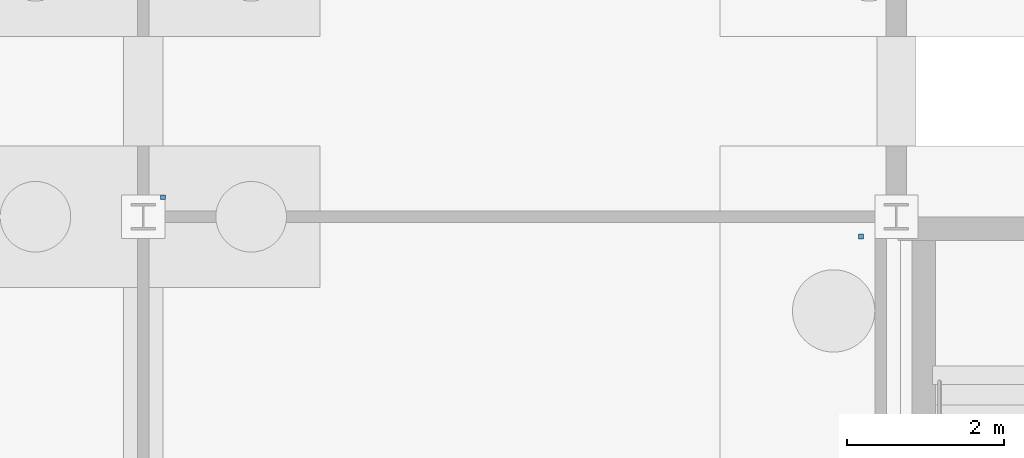
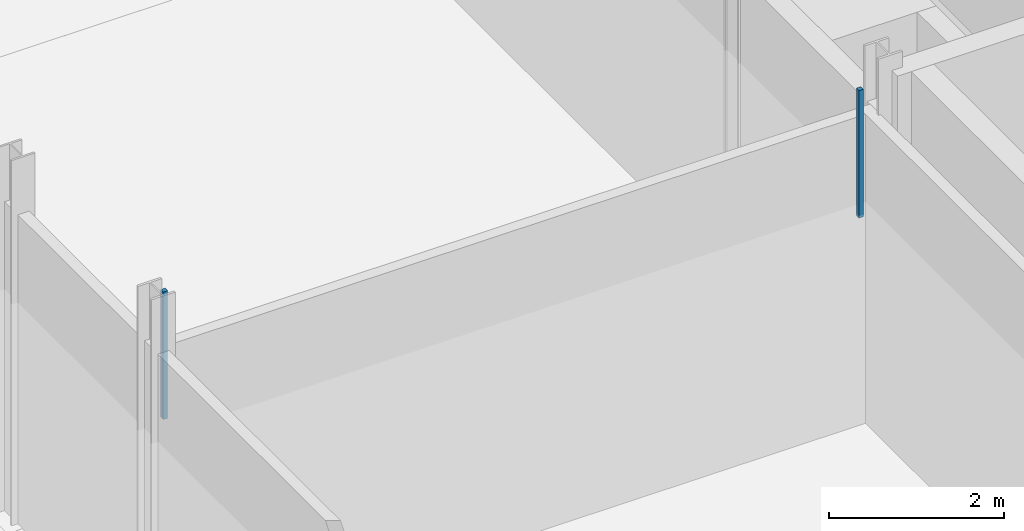
# One storey, part 76 of 111: 2 discrete accessories.
"""IFC4 building model written with IfcOpenShell, lengths in metres."""

import ifcopenshell
import ifcopenshell.guid

model = None  # the IFC model being written
_history = None  # IfcOwnerHistory: only IFC2X3 demands one
_inside = {}  # id of a spatial element -> (the spatial element, [elements in it])
_under = {}  # id of a project, library or spatial element -> (it, [spatial elements below it])
_declared = {}  # id of a project -> (the project, [libraries it declares])
_typed = {}  # id of a type object -> (the type object, [elements of that type])
_made_of = {}  # id of a material, layer set ... -> (it, [elements and type objects made of it])


def new_model(schema):
    """Start an empty IFC model of exactly this schema.

    Asked for "IFC4X3", IfcOpenShell would pick the latest addendum, in which some entities
    have other attributes; the version numbers below select the first issue.
    IFC2X3 requires an IfcOwnerHistory on every rooted entity: one is made here for all.
    """
    global model, _history
    if schema == "IFC4X3":
        model = ifcopenshell.file(schema_version=(4, 3, 0, 0))
    else:
        model = ifcopenshell.file(schema=schema)
    _inside.clear()
    _under.clear()
    _declared.clear()
    _typed.clear()
    _made_of.clear()
    _history = None
    if model.schema == "IFC2X3":
        org = make("IfcOrganization", Name="unknown")
        user = make(
            "IfcPersonAndOrganization",
            ThePerson=make("IfcPerson", FamilyName="unknown"),
            TheOrganization=org,
        )
        app = make(
            "IfcApplication",
            ApplicationDeveloper=org,
            Version="unknown",
            ApplicationFullName="unknown",
            ApplicationIdentifier="unknown",
        )
        _history = make(
            "IfcOwnerHistory",
            OwningUser=user,
            OwningApplication=app,
            ChangeAction="ADDED",
            CreationDate=0,
        )
    return model


def make(cls, **values):
    """One entity of the class cls with the attributes given. An attribute that is None is left unset."""
    return model.create_entity(
        cls, **{name: value for name, value in values.items() if value is not None}
    )


def rooted(cls, **values):
    """An entity with a GlobalId (a new one), such as an element, a storey or a relation."""
    return make(cls, GlobalId=ifcopenshell.guid.new(), OwnerHistory=_history, **values)


def si_unit(unit_type, name, prefix=None):
    """IfcSIUnit, for example si_unit("LENGTHUNIT", "METRE", prefix="MILLI")."""
    return make("IfcSIUnit", UnitType=unit_type, Prefix=prefix, Name=name)


def assignment(units):
    """IfcUnitAssignment: the units of a project."""
    return None if units is None else make("IfcUnitAssignment", Units=units)


def point(xyz):
    """IfcCartesianPoint."""
    return None if xyz is None else make("IfcCartesianPoint", Coordinates=xyz)


def direction(xyz):
    """IfcDirection."""
    return None if xyz is None else make("IfcDirection", DirectionRatios=xyz)


def frame(location, z_axis=None, x_axis=None):
    """IfcAxis2Placement3D, a coordinate frame: its origin and axes. An axis left out is left unset."""
    return make(
        "IfcAxis2Placement3D",
        Location=point(location),
        Axis=direction(z_axis),
        RefDirection=direction(x_axis),
    )


def origin():
    """The frame at (0, 0, 0) with its axes left unset."""
    return frame((0.0, 0.0, 0.0))


def place(relative_to, where):
    """IfcLocalPlacement: puts the frame where relative to a parent placement (None: the world)."""
    return make(
        "IfcLocalPlacement", PlacementRelTo=relative_to, RelativePlacement=where
    )


def context(
    kind, dimensions, precision=None, world=None, true_north=None, identifier=None
):
    """IfcGeometricRepresentationContext, for example the 3D "Model" context."""
    return make(
        "IfcGeometricRepresentationContext",
        ContextIdentifier=identifier,
        ContextType=kind,
        CoordinateSpaceDimension=dimensions,
        Precision=precision,
        WorldCoordinateSystem=world,
        TrueNorth=true_north,
    )


def subcontext(parent, identifier, kind, view, scale=None):
    """IfcGeometricRepresentationSubContext, for example "Body" below "Model"."""
    return make(
        "IfcGeometricRepresentationSubContext",
        ContextIdentifier=identifier,
        ContextType=kind,
        ParentContext=parent,
        TargetScale=scale,
        TargetView=view,
    )


def project(units=None, contexts=None):
    """IfcProject with its units and contexts."""
    return rooted(
        "IfcProject",
        Name="project",
        RepresentationContexts=contexts,
        UnitsInContext=assignment(units),
    )


def spatial(cls, under=None, at=None, **own):
    """A site, building, storey or space (cls), placed at a placement, below another one or the project."""
    s = rooted(cls, ObjectPlacement=at, **own)
    if under is not None:
        _under.setdefault(under.id(), (under, []))[1].append(s)
    return s


def polyline(points):
    """IfcPolyline through the points."""
    return make("IfcPolyline", Points=[point(p) for p in points])


def outline(outer, holes=None, kind="AREA"):
    """IfcArbitraryClosedProfileDef: a profile drawn as a closed curve; with holes, ...WithVoids."""
    if holes is None:
        return make("IfcArbitraryClosedProfileDef", ProfileType=kind, OuterCurve=outer)
    return make(
        "IfcArbitraryProfileDefWithVoids",
        ProfileType=kind,
        OuterCurve=outer,
        InnerCurves=holes,
    )


def extrude(swept, where, along, depth):
    """IfcExtrudedAreaSolid: the profile swept, set in the frame where, extruded along a direction by depth."""
    return make(
        "IfcExtrudedAreaSolid",
        SweptArea=swept,
        Position=where,
        ExtrudedDirection=direction(along),
        Depth=depth,
    )


def shape(context_of_items, identifier, shape_type, items):
    """IfcShapeRepresentation: the items that make up one representation, for example the "Body"."""
    return make(
        "IfcShapeRepresentation",
        ContextOfItems=context_of_items,
        RepresentationIdentifier=identifier,
        RepresentationType=shape_type,
        Items=items,
    )


def material(Name=None, Category=None):
    """IfcMaterial."""
    return make("IfcMaterial", Name=Name, Category=Category)


def made_of(thing, what):
    """Note that an element or type object is made of a material, layer set ...; save() writes the relation."""
    if what is not None:
        _made_of.setdefault(what.id(), (what, []))[1].append(thing)
    return thing


def type_object(cls, material=None, **own):
    """A type object (cls), such as IfcWallType, which elements share."""
    return made_of(rooted(cls, **own), material)


def element(
    cls,
    number,
    at=None,
    inside=None,
    cuts=None,
    type_object=None,
    material=None,
    context=None,
    identifier="Body",
    shape_type=None,
    held_by="IfcProductDefinitionShape",
    body=None,
    shapes=None,
    **own,
):
    """One element of the class cls, such as IfcWall. Its Tag is "e" and its number.

    at: its placement. inside: the storey or other place that contains it. cuts: it is an
    opening in that element (IfcRelVoidsElement). A single representation is given by context,
    identifier, shape_type and body (its items); several are given by shapes. held_by: the class
    of the entity that holds the representations. save() writes the other relations.
    """
    e = rooted(cls, Tag="e%d" % number, ObjectPlacement=at, **own)
    if body is not None:
        shapes = [shape(context, identifier, shape_type, body)]
    if shapes is not None:
        e.Representation = make(held_by, Representations=shapes)
    if inside is not None:
        _inside.setdefault(inside.id(), (inside, []))[1].append(e)
    if cuts is not None:
        rooted(
            "IfcRelVoidsElement", RelatingBuildingElement=cuts, RelatedOpeningElement=e
        )
    if type_object is not None:
        _typed.setdefault(type_object.id(), (type_object, []))[1].append(e)
    return made_of(e, material)


def aggregate(whole, parts):
    """IfcRelAggregates: a whole, such as a stair, and the parts it consists of."""
    return rooted("IfcRelAggregates", RelatingObject=whole, RelatedObjects=parts)


def save(model, path):
    """Write the relations noted so far, then the file.

    IfcRelAggregates (storeys below a building ...), IfcRelContainedInSpatialStructure (elements
    in a storey), IfcRelDefinesByType, IfcRelAssociatesMaterial and IfcRelDeclares: one each for
    every whole, place, type object, material and project.
    """
    for whole, parts in _under.values():
        aggregate(whole, parts)
    for where, things in _inside.values():
        rooted(
            "IfcRelContainedInSpatialStructure",
            RelatedElements=things,
            RelatingStructure=where,
        )
    for kind, things in _typed.values():
        rooted("IfcRelDefinesByType", RelatedObjects=things, RelatingType=kind)
    for what, things in _made_of.values():
        rooted("IfcRelAssociatesMaterial", RelatedObjects=things, RelatingMaterial=what)
    for by, libraries in _declared.values():
        rooted("IfcRelDeclares", RelatingContext=by, RelatedDefinitions=libraries)
    model.write(path)


model = new_model("IFC4")

# Units and contexts
model_context = context("Model", 3, precision=1e-05, world=origin(), true_north=direction((0.0, 1.0)))
body_context = subcontext(model_context, "Body", "Model", "MODEL_VIEW")
ifc_project = project(units=[si_unit("LENGTHUNIT", "METRE"), si_unit("AREAUNIT", "SQUARE_METRE"), si_unit("VOLUMEUNIT", "CUBIC_METRE"), si_unit("PLANEANGLEUNIT", "RADIAN"), si_unit("MASSUNIT", "GRAM", prefix="KILO")], contexts=[model_context])

# Site, building, storey
site_placement = place(None, origin())
site = spatial("IfcSite", under=ifc_project, at=site_placement, CompositionType="ELEMENT")
building_placement = place(site_placement, origin())
building = spatial("IfcBuilding", under=site, at=building_placement, Name="Dunescarp Central Library", CompositionType="ELEMENT")
storey_placement = place(building_placement, origin())
storey = spatial("IfcBuildingStorey", under=building, at=storey_placement, Name="L00", CompositionType="ELEMENT", Elevation=0.0)

# Discrete accessories
ifc_material = material(Name="Stainless steel Grade 316L", Category="steel")
discrete_accessory_type = type_object("IfcDiscreteAccessoryType", Name="ARC-ACC-BRK", PredefinedType="BRACKET", material=ifc_material)
discrete_accessory_1_placement = place(storey_placement, frame((0.0, 0.0, 3.06005859375)))
element("IfcDiscreteAccessory", 1, at=discrete_accessory_1_placement, inside=storey, type_object=discrete_accessory_type, Name="L00 ceiling hanger CLG-L00-050-H2", PredefinedType="BRACKET", context=body_context, shape_type="SweptSolid", body=[
    extrude(outline(polyline([(76.320068359375, 25.320068359375), (76.3798828125, 25.320068359375), (76.3798828125, 25.3798828125), (76.320068359375, 25.3798828125), (76.320068359375, 25.320068359375)])), origin(), (0.0, 0.0, 1.0), 1.780029296875),
])
discrete_accessory_2_placement = place(storey_placement, frame((0.0, 0.0, 3.06005859375)))
element("IfcDiscreteAccessory", 2, at=discrete_accessory_2_placement, inside=storey, type_object=discrete_accessory_type, Name="L00 ceiling hanger CLG-L00-051-H1", PredefinedType="BRACKET", context=body_context, shape_type="SweptSolid", body=[
    extrude(outline(polyline([(67.419921875, 25.820068359375), (67.47998046875, 25.820068359375), (67.47998046875, 25.8798828125), (67.419921875, 25.8798828125), (67.419921875, 25.820068359375)])), origin(), (0.0, 0.0, 1.0), 1.780029296875),
])

save(model, "model.ifc")
